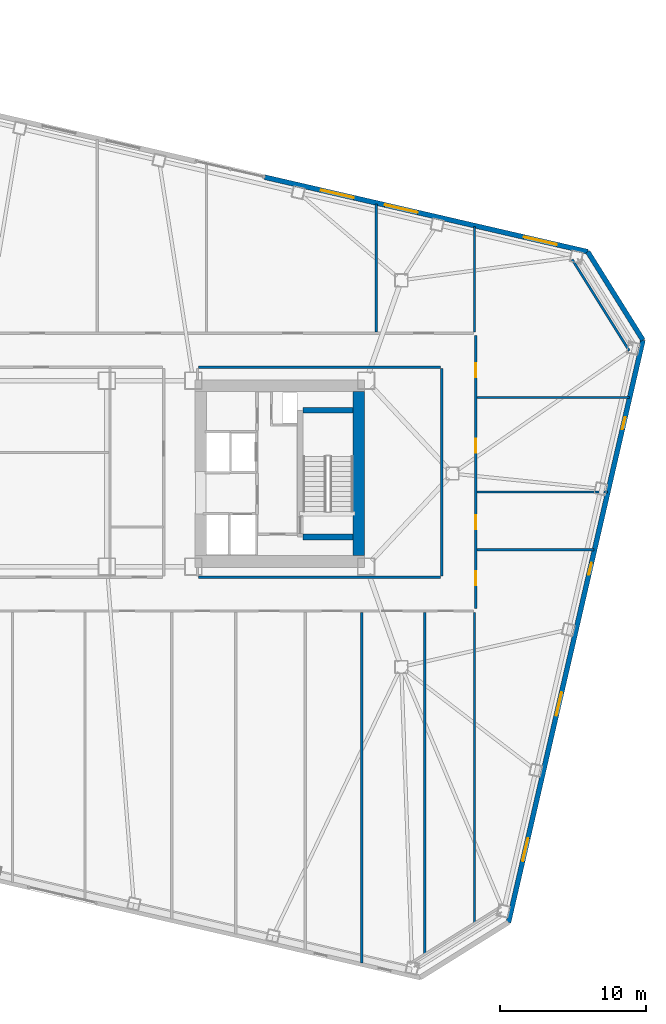
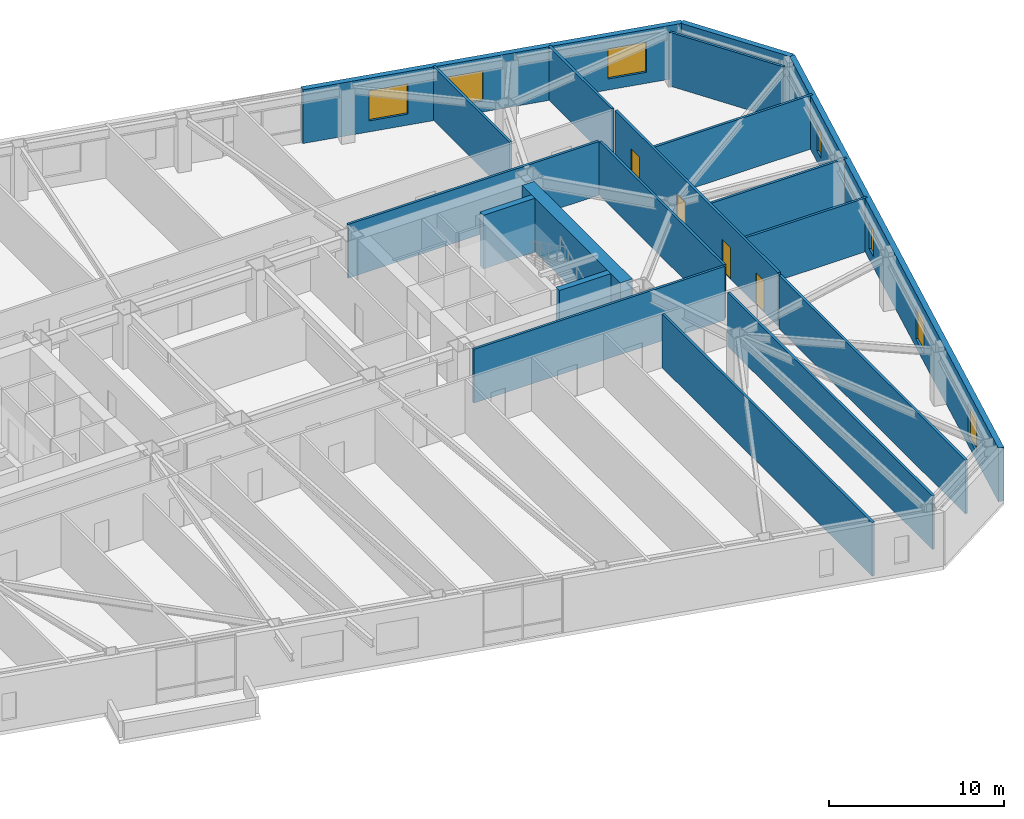
# One storey, part 16 of 22: 19 walls, 7 windows, 4 doors, 11 openings.
"""IFC4 building model written with IfcOpenShell, lengths in metres."""

from ifc_helpers import new_model, si_unit, direction, frame, frame_2d, origin, place, context, subcontext, project, spatial, rectangle, extrude, material, layer, layer_set, type_object, element, fill, save


model = new_model("IFC4")

# Units and contexts
model_context = context("Model", 3, precision=1e-05, world=origin(), true_north=direction((0.0, 1.0)))
body_context = subcontext(model_context, "Body", "Model", "MODEL_VIEW")
ifc_project = project(units=[si_unit("LENGTHUNIT", "METRE"), si_unit("AREAUNIT", "SQUARE_METRE"), si_unit("VOLUMEUNIT", "CUBIC_METRE"), si_unit("PLANEANGLEUNIT", "RADIAN"), si_unit("MASSUNIT", "GRAM", prefix="KILO")], contexts=[model_context])

# Site, building, storey
site_placement = place(None, origin())
site = spatial("IfcSite", under=ifc_project, at=site_placement, CompositionType="ELEMENT")
building_placement = place(site_placement, origin())
building = spatial("IfcBuilding", under=site, at=building_placement, Name="Tavrogorsk Clinical Tower", CompositionType="ELEMENT")
storey_placement = place(building_placement, frame((0.0, 0.0, 55.39990234375)))
storey = spatial("IfcBuildingStorey", under=building, at=storey_placement, Name="L11", CompositionType="ELEMENT", Elevation=55.39990234375)

# Wall
ifc_material_1 = material(Name="Lightweight concrete blockwork B15", Category="masonry")
ifc_layer_1 = layer(ifc_material_1, 0.159912109375)
ifc_layer_set_1 = layer_set([ifc_layer_1], Name="Lightweight concrete blockwork B15")
wall_type_1 = type_object("IfcWallType", Name="PartitionWall_160", PredefinedType="PARTITIONING", material=ifc_layer_set_1)
wall_1_placement = place(storey_placement, frame((40.059814453125, 8.389404296875, 0.0), z_axis=(0.0, 0.0, 1.0), x_axis=(-0.529927317139, 0.848043064089, 0.0)))
element("IfcWall", 1, at=wall_1_placement, inside=storey, type_object=wall_type_1, Name="L11 Corner Exoskeleton Brace Furring Wall 2", PredefinedType="PARTITIONING", context=body_context, shape_type="SweptSolid", body=[
    extrude(rectangle(XDim=7.353759765625, YDim=0.159912109375, at=frame_2d((3.6767578125, 0.0))), origin(), (0.0, 0.0, 1.0), 3.739990234375),
])

# Wall, openings, doors
wall_2_placement = place(storey_placement, frame((29.580078125, 9.4150390625, 0.0), z_axis=(0.0, 0.0, 1.0), x_axis=(0.0, -1.0, 0.0)))
wall_2 = element("IfcWall", 2, at=wall_2_placement, inside=storey, type_object=wall_type_1, Name="L11 Corridor Partition 07", PredefinedType="PARTITIONING", context=body_context, shape_type="SweptSolid", body=[
    extrude(rectangle(XDim=18.630126953125, YDim=0.159912109375, at=frame_2d((9.31494140625, 0.0))), origin(), (0.0, 0.0, 1.0), 3.739990234375),
])
opening_1_placement = place(wall_2_placement, frame((16.080810546875, 0.0, 0.0)))
opening_1 = element("IfcOpeningElement", 3, at=opening_1_placement, cuts=wall_2, Name="Opening ID-02", PredefinedType="OPENING", context=body_context, shape_type="SweptSolid", body=[
    extrude(rectangle(XDim=0.949951171875, YDim=2.199951171875, at=frame_2d((0.47509765625, 1.10009765625))), frame((0.0, 0.08984375, 0.0), z_axis=(0.0, -1.0, 0.0), x_axis=(1.0, 0.0, 0.0)), (0.0, 0.0, 1.0), 0.179931640625),
])
opening_2_placement = place(wall_2_placement, frame((12.25, 0.0, 0.0)))
opening_2 = element("IfcOpeningElement", 4, at=opening_2_placement, cuts=wall_2, Name="Opening ID-02", PredefinedType="OPENING", context=body_context, shape_type="SweptSolid", body=[
    extrude(rectangle(XDim=0.949951171875, YDim=2.199951171875, at=frame_2d((0.47509765625, 1.10009765625))), frame((0.0, 0.08984375, 0.0), z_axis=(0.0, -1.0, 0.0), x_axis=(1.0, 0.0, 0.0)), (0.0, 0.0, 1.0), 0.179931640625),
])
opening_3_placement = place(wall_2_placement, frame((7.050048828125, 0.0, 0.0)))
opening_3 = element("IfcOpeningElement", 5, at=opening_3_placement, cuts=wall_2, Name="Opening ID-02", PredefinedType="OPENING", context=body_context, shape_type="SweptSolid", body=[
    extrude(rectangle(XDim=0.949951171875, YDim=2.199951171875, at=frame_2d((0.47509765625, 1.10009765625))), frame((0.0, 0.08984375, 0.0), z_axis=(0.0, -1.0, 0.0), x_axis=(1.0, 0.0, 0.0)), (0.0, 0.0, 1.0), 0.179931640625),
])
opening_4_placement = place(wall_2_placement, frame((1.869140625, 0.0, 0.0)))
opening_4 = element("IfcOpeningElement", 6, at=opening_4_placement, cuts=wall_2, Name="Opening ID-02", PredefinedType="OPENING", context=body_context, shape_type="SweptSolid", body=[
    extrude(rectangle(XDim=0.949951171875, YDim=2.199951171875, at=frame_2d((0.47509765625, 1.10009765625))), frame((0.0, 0.08984375, 0.0), z_axis=(0.0, -1.0, 0.0), x_axis=(1.0, 0.0, 0.0)), (0.0, 0.0, 1.0), 0.179931640625),
])
ifc_material_2 = material(Name="Laminated timber leaf on aluminium frame", Category="wood")
door_type = type_object("IfcDoorType", Name="InteriorDoor_ID02_950", OperationType="NOTDEFINED", PredefinedType="DOOR", material=ifc_material_2)
door_1_placement = place(opening_1_placement, origin())
door_1 = element("IfcDoor", 7, at=door_1_placement, inside=storey, type_object=door_type, Name="L11 E Senior Clinician Suite 1 Door", OperationType="SINGLE_SWING_LEFT", OverallHeight=2.199951171875, OverallWidth=0.949951171875, PredefinedType="DOOR", context=body_context, shape_type="SweptSolid", body=[
    extrude(rectangle(XDim=0.949951171875, YDim=2.199951171875, at=frame_2d((0.47509765625, 1.10009765625))), frame((0.0, 0.02490234375, 0.0), z_axis=(0.0, -1.0, 0.0), x_axis=(1.0, 0.0, 0.0)), (0.0, 0.0, 1.0), 0.050048828125),
])
fill(opening_1, door_1)
door_2_placement = place(opening_2_placement, origin())
door_2 = element("IfcDoor", 8, at=door_2_placement, inside=storey, type_object=door_type, Name="L11 E Multidisciplinary Seminar Suite 2 Door", OperationType="SINGLE_SWING_RIGHT", OverallHeight=2.199951171875, OverallWidth=0.949951171875, PredefinedType="DOOR", context=body_context, shape_type="SweptSolid", body=[
    extrude(rectangle(XDim=0.949951171875, YDim=2.199951171875, at=frame_2d((0.47509765625, 1.10009765625))), frame((0.0, 0.02490234375, 0.0), z_axis=(0.0, -1.0, 0.0), x_axis=(1.0, 0.0, 0.0)), (0.0, 0.0, 1.0), 0.050048828125),
])
fill(opening_2, door_2)
door_3_placement = place(opening_3_placement, origin())
door_3 = element("IfcDoor", 9, at=door_3_placement, inside=storey, type_object=door_type, Name="L11 E Specialist Consultation Room 3 Door", OperationType="SINGLE_SWING_LEFT", OverallHeight=2.199951171875, OverallWidth=0.949951171875, PredefinedType="DOOR", context=body_context, shape_type="SweptSolid", body=[
    extrude(rectangle(XDim=0.949951171875, YDim=2.199951171875, at=frame_2d((0.47509765625, 1.10009765625))), frame((0.0, 0.02490234375, 0.0), z_axis=(0.0, -1.0, 0.0), x_axis=(1.0, 0.0, 0.0)), (0.0, 0.0, 1.0), 0.050048828125),
])
fill(opening_3, door_3)
door_4_placement = place(opening_4_placement, origin())
door_4 = element("IfcDoor", 10, at=door_4_placement, inside=storey, type_object=door_type, Name="L11 E Clinical Fellows' Study 4 Door", OperationType="SINGLE_SWING_RIGHT", OverallHeight=2.199951171875, OverallWidth=0.949951171875, PredefinedType="DOOR", context=body_context, shape_type="SweptSolid", body=[
    extrude(rectangle(XDim=0.949951171875, YDim=2.199951171875, at=frame_2d((0.47509765625, 1.10009765625))), frame((0.0, 0.02490234375, 0.0), z_axis=(0.0, -1.0, 0.0), x_axis=(1.0, 0.0, 0.0)), (0.0, 0.0, 1.0), 0.050048828125),
])
fill(opening_4, door_4)

# Walls
for number, where, z_axis, x_axis, name in (
    (11, (27.18505859375, 7.27001953125, 0.0), (0.0, 0.0, 1.0), (-1.0, 0.0, 0.0), "L11 Corridor Partition 09"),
    (12, (10.6650390625, -7.070068359375, 0.0), (0.0, 0.0, 1.0), (1.0, 0.0, 0.0), "L11 Corridor Partition 12"),
):
    element("IfcWall", number, at=place(storey_placement, frame(where, z_axis=z_axis, x_axis=x_axis)), inside=storey, type_object=wall_type_1, Name=name, PredefinedType="PARTITIONING", context=body_context, shape_type="SweptSolid", body=[
        extrude(rectangle(XDim=16.52001953125, YDim=0.159912109375, at=frame_2d((8.260009765625, 0.0))), origin(), (0.0, 0.0, 1.0), 3.739990234375),
    ])
wall_3_placement = place(storey_placement, frame((27.27001953125, -6.985107421875, 0.0), z_axis=(0.0, 0.0, 1.0), x_axis=(0.0, 1.0, 0.0)))
element("IfcWall", 13, at=wall_3_placement, inside=storey, type_object=wall_type_1, Name="L11 Corridor Partition 13", PredefinedType="PARTITIONING", context=body_context, shape_type="SweptSolid", body=[
    extrude(rectangle(XDim=14.170166015625, YDim=0.159912109375, at=frame_2d((7.0849609375, 0.0))), origin(), (0.0, 0.0, 1.0), 3.739990234375),
])
wall_4_placement = place(storey_placement, frame((29.5, 9.6650390625, 0.0), z_axis=(0.0, 0.0, 1.0), x_axis=(0.0, 1.0, 0.0)))
element("IfcWall", 14, at=wall_4_placement, inside=storey, type_object=wall_type_1, Name="L11 NE Wing Closure Partition", PredefinedType="PARTITIONING", context=body_context, shape_type="SweptSolid", body=[
    extrude(rectangle(XDim=7.197265625, YDim=0.159912109375, at=frame_2d((3.5986328125, 0.0))), origin(), (0.0, 0.0, 1.0), 3.739990234375),
])
wall_5_placement = place(storey_placement, frame((29.5, -30.702880859375, 0.0), z_axis=(0.0, 0.0, 1.0), x_axis=(0.0, 1.0, 0.0)))
element("IfcWall", 15, at=wall_5_placement, inside=storey, type_object=wall_type_1, Name="L11 SE Wing Closure Partition", PredefinedType="PARTITIONING", context=body_context, shape_type="SweptSolid", body=[
    extrude(rectangle(XDim=21.23779296875, YDim=0.159912109375, at=frame_2d((10.618896484375, 0.0))), origin(), (0.0, 0.0, 1.0), 3.739990234375),
])
wall_6_placement = place(storey_placement, frame((22.800048828125, 9.6650390625, 0.0), z_axis=(0.0, 0.0, 1.0), x_axis=(0.0, 1.0, 0.0)))
element("IfcWall", 16, at=wall_6_placement, inside=storey, type_object=wall_type_1, Name="L11 North Room Partition 4", PredefinedType="PARTITIONING", context=body_context, shape_type="SweptSolid", body=[
    extrude(rectangle(XDim=8.744140625, YDim=0.159912109375, at=frame_2d((4.3720703125, 0.0))), origin(), (0.0, 0.0, 1.0), 3.739990234375),
])
wall_7_placement = place(storey_placement, frame((21.800048828125, -33.4140625, 0.0), z_axis=(0.0, 0.0, 1.0), x_axis=(0.0, 1.0, 0.0)))
element("IfcWall", 17, at=wall_7_placement, inside=storey, type_object=wall_type_1, Name="L11 South Room Partition 6", PredefinedType="PARTITIONING", context=body_context, shape_type="SweptSolid", body=[
    extrude(rectangle(XDim=23.948974609375, YDim=0.159912109375, at=frame_2d((11.974609375, 0.0))), origin(), (0.0, 0.0, 1.0), 3.739990234375),
])
wall_8_placement = place(storey_placement, frame((26.10009765625, -32.827392578125, 0.0), z_axis=(0.0, 0.0, 1.0), x_axis=(0.0, 1.0, 0.0)))
element("IfcWall", 18, at=wall_8_placement, inside=storey, type_object=wall_type_1, Name="L11 South Sub-Partition 7", PredefinedType="PARTITIONING", context=body_context, shape_type="SweptSolid", body=[
    extrude(rectangle(XDim=23.3623046875, YDim=0.159912109375, at=frame_2d((11.68115234375, 0.0))), origin(), (0.0, 0.0, 1.0), 3.739990234375),
])
wall_9_placement = place(storey_placement, frame((29.6650390625, -5.199951171875, 0.0), z_axis=(0.0, 0.0, 1.0), x_axis=(1.0, 0.0, 0.0)))
element("IfcWall", 19, at=wall_9_placement, inside=storey, type_object=wall_type_1, Name="L11 E Wing Divider 1", PredefinedType="PARTITIONING", context=body_context, shape_type="SweptSolid", body=[
    extrude(rectangle(XDim=8.007080078125, YDim=0.159912109375, at=frame_2d((4.00341796875, 0.0))), origin(), (0.0, 0.0, 1.0), 3.739990234375),
])
wall_10_placement = place(storey_placement, frame((29.6650390625, -1.25, 0.0), z_axis=(0.0, 0.0, 1.0), x_axis=(1.0, 0.0, 0.0)))
element("IfcWall", 20, at=wall_10_placement, inside=storey, type_object=wall_type_1, Name="L11 E Wing Divider 2", PredefinedType="PARTITIONING", context=body_context, shape_type="SweptSolid", body=[
    extrude(rectangle(XDim=8.9189453125, YDim=0.159912109375, at=frame_2d((4.45947265625, 0.0))), origin(), (0.0, 0.0, 1.0), 3.739990234375),
])
wall_11_placement = place(storey_placement, frame((29.6650390625, 5.199951171875, 0.0), z_axis=(0.0, 0.0, 1.0), x_axis=(1.0, 0.0, 0.0)))
element("IfcWall", 21, at=wall_11_placement, inside=storey, type_object=wall_type_1, Name="L11 E Wing Divider 3", PredefinedType="PARTITIONING", context=body_context, shape_type="SweptSolid", body=[
    extrude(rectangle(XDim=10.408203125, YDim=0.159912109375, at=frame_2d((5.2041015625, 0.0))), origin(), (0.0, 0.0, 1.0), 3.739990234375),
])

# Wall, openings, windows
ifc_material_3 = material(Name="Precast concrete B45 with limestone cladding", Category="masonry")
ifc_layer_2 = layer(ifc_material_3, 0.340087890625)
ifc_layer_set_2 = layer_set([ifc_layer_2], Name="Precast concrete B45 with limestone cladding")
wall_type_2 = type_object("IfcWallType", Name="PrecastLimestoneWall_340", PredefinedType="STANDARD", material=ifc_layer_set_2)
wall_12_placement = place(storey_placement, frame((37.228515625, 15.14990234375, 0.0), z_axis=(0.0, 0.0, 1.0), x_axis=(-0.97436993772, 0.224951604723, 0.0)))
wall_12 = element("IfcWall", 22, at=wall_12_placement, inside=storey, type_object=wall_type_2, Name="L11 N Limestone Facade Wall 1", PredefinedType="STANDARD", context=body_context, shape_type="SweptSolid", body=[
    extrude(rectangle(XDim=22.6513671875, YDim=0.340087890625, at=frame_2d((11.32568359375, 0.0))), origin(), (0.0, 0.0, 1.0), 3.739990234375),
])
opening_5_placement = place(wall_12_placement, frame((16.39501953125, 0.0, 0.77001953125)))
opening_5 = element("IfcOpeningElement", 23, at=opening_5_placement, cuts=wall_12, Name="Opening WN-12", PredefinedType="OPENING", context=body_context, shape_type="SweptSolid", body=[
    extrude(rectangle(XDim=2.300048828125, YDim=2.10009765625, at=frame_2d((1.14990234375, 1.050048828125))), frame((0.0, 0.179931640625, 0.0), z_axis=(0.0, -1.0, 0.0), x_axis=(1.0, 0.0, 0.0)), (0.0, 0.0, 1.0), 0.360107421875),
])
opening_6_placement = place(wall_12_placement, frame((11.91064453125, 0.0, 0.77001953125)))
opening_6 = element("IfcOpeningElement", 24, at=opening_6_placement, cuts=wall_12, Name="Opening WN-12", PredefinedType="OPENING", context=body_context, shape_type="SweptSolid", body=[
    extrude(rectangle(XDim=2.300048828125, YDim=2.10009765625, at=frame_2d((1.14990234375, 1.050048828125))), frame((0.0, 0.179931640625, 0.0), z_axis=(0.0, -1.0, 0.0), x_axis=(1.0, 0.0, 0.0)), (0.0, 0.0, 1.0), 0.360107421875),
])
opening_7_placement = place(wall_12_placement, frame((2.162109375, 0.0, 0.77001953125)))
opening_7 = element("IfcOpeningElement", 25, at=opening_7_placement, cuts=wall_12, Name="Opening WN-12", PredefinedType="OPENING", context=body_context, shape_type="SweptSolid", body=[
    extrude(rectangle(XDim=2.300048828125, YDim=2.10009765625, at=frame_2d((1.14990234375, 1.050048828125))), frame((0.0, 0.179931640625, 0.0), z_axis=(0.0, -1.0, 0.0), x_axis=(1.0, 0.0, 0.0)), (0.0, 0.0, 1.0), 0.360107421875),
])
ifc_material_4 = material(Name="Thermally broken aluminium frame and triple IGU", Category="aluminium")
window_type_1 = type_object("IfcWindowType", Name="RecoveryWin_2300x2100", PartitioningType="DOUBLE_PANEL_VERTICAL", PredefinedType="WINDOW", material=ifc_material_4)
window_1_placement = place(opening_5_placement, origin())
window_1 = element("IfcWindow", 26, at=window_1_placement, inside=storey, type_object=window_type_1, Name="L11 N Chicago Window 07", OverallHeight=2.10009765625, OverallWidth=2.300048828125, PartitioningType="SINGLE_PANEL", PredefinedType="WINDOW", context=body_context, shape_type="SweptSolid", body=[
    extrude(rectangle(XDim=2.300048828125, YDim=2.10009765625, at=frame_2d((1.14990234375, 1.050048828125))), frame((0.0, 0.030029296875, 0.0), z_axis=(0.0, -1.0, 0.0), x_axis=(1.0, 0.0, 0.0)), (0.0, 0.0, 1.0), 0.06005859375),
])
fill(opening_5, window_1)
window_2_placement = place(opening_6_placement, origin())
window_2 = element("IfcWindow", 27, at=window_2_placement, inside=storey, type_object=window_type_1, Name="L11 N Chicago Window 08", OverallHeight=2.10009765625, OverallWidth=2.300048828125, PartitioningType="SINGLE_PANEL", PredefinedType="WINDOW", context=body_context, shape_type="SweptSolid", body=[
    extrude(rectangle(XDim=2.300048828125, YDim=2.10009765625, at=frame_2d((1.14990234375, 1.050048828125))), frame((0.0, 0.030029296875, 0.0), z_axis=(0.0, -1.0, 0.0), x_axis=(1.0, 0.0, 0.0)), (0.0, 0.0, 1.0), 0.06005859375),
])
fill(opening_6, window_2)
window_3_placement = place(opening_7_placement, origin())
window_3 = element("IfcWindow", 28, at=window_3_placement, inside=storey, type_object=window_type_1, Name="L11 N Chicago Window 10", OverallHeight=2.10009765625, OverallWidth=2.300048828125, PartitioningType="SINGLE_PANEL", PredefinedType="WINDOW", context=body_context, shape_type="SweptSolid", body=[
    extrude(rectangle(XDim=2.300048828125, YDim=2.10009765625, at=frame_2d((1.14990234375, 1.050048828125))), frame((0.0, 0.030029296875, 0.0), z_axis=(0.0, -1.0, 0.0), x_axis=(1.0, 0.0, 0.0)), (0.0, 0.0, 1.0), 0.06005859375),
])
fill(opening_7, window_3)

wall_13_placement = place(storey_placement, frame((31.820068359375, -30.636962890625, 0.0), z_axis=(0.0, 0.0, 1.0), x_axis=(0.224949969076, 0.974370315338, 0.0)))
wall_13 = element("IfcWall", 29, at=wall_13_placement, inside=storey, type_object=wall_type_2, Name="L11 E Pleated Limestone Wing Wall", PredefinedType="STANDARD", context=body_context, shape_type="SweptSolid", body=[
    extrude(rectangle(XDim=40.800048828125, YDim=0.340087890625, at=frame_2d((20.39990234375, 0.0))), origin(), (0.0, 0.0, 1.0), 3.739990234375),
])
opening_8_placement = place(wall_13_placement, frame((4.300048828125, 0.0, 0.580078125)))
opening_8 = element("IfcOpeningElement", 30, at=opening_8_placement, cuts=wall_13, Name="Opening WN-07", PredefinedType="OPENING", context=body_context, shape_type="SweptSolid", body=[
    extrude(rectangle(XDim=1.60009765625, YDim=2.300048828125, at=frame_2d((0.800048828125, 1.14990234375))), frame((0.0, 0.179931640625, 0.0), z_axis=(0.0, -1.0, 0.0), x_axis=(1.0, 0.0, 0.0)), (0.0, 0.0, 1.0), 0.360107421875),
])
opening_9_placement = place(wall_13_placement, frame((14.5, 0.0, 0.580078125)))
opening_9 = element("IfcOpeningElement", 31, at=opening_9_placement, cuts=wall_13, Name="Opening WN-07", PredefinedType="OPENING", context=body_context, shape_type="SweptSolid", body=[
    extrude(rectangle(XDim=1.60009765625, YDim=2.300048828125, at=frame_2d((0.800048828125, 1.14990234375))), frame((0.0, 0.179931640625, 0.0), z_axis=(0.0, -1.0, 0.0), x_axis=(1.0, 0.0, 0.0)), (0.0, 0.0, 1.0), 0.360107421875),
])
opening_10_placement = place(wall_13_placement, frame((24.35009765625, 0.0, 0.75)))
opening_10 = element("IfcOpeningElement", 32, at=opening_10_placement, cuts=wall_13, Name="Opening WN-06", PredefinedType="OPENING", context=body_context, shape_type="SweptSolid", body=[
    extrude(rectangle(XDim=0.85009765625, YDim=1.85009765625, at=frame_2d((0.425048828125, 0.925048828125))), frame((0.0, 0.179931640625, 0.0), z_axis=(0.0, -1.0, 0.0), x_axis=(1.0, 0.0, 0.0)), (0.0, 0.0, 1.0), 0.360107421875),
])
opening_11_placement = place(wall_13_placement, frame((34.550048828125, 0.0, 0.75)))
opening_11 = element("IfcOpeningElement", 33, at=opening_11_placement, cuts=wall_13, Name="Opening WN-06", PredefinedType="OPENING", context=body_context, shape_type="SweptSolid", body=[
    extrude(rectangle(XDim=0.85009765625, YDim=1.85009765625, at=frame_2d((0.425048828125, 0.925048828125))), frame((0.0, 0.179931640625, 0.0), z_axis=(0.0, -1.0, 0.0), x_axis=(1.0, 0.0, 0.0)), (0.0, 0.0, 1.0), 0.360107421875),
])
ifc_material_5 = material(Name="Thermally broken aluminium frame and triple IGU", Category="aluminium")
window_type_2 = type_object("IfcWindowType", Name="MullionSubWin_850x1850", PartitioningType="SINGLE_PANEL", PredefinedType="WINDOW", material=ifc_material_5)
window_4_placement = place(opening_10_placement, origin())
window_4 = element("IfcWindow", 34, at=window_4_placement, inside=storey, type_object=window_type_2, Name="L11 E Pleat Mullion Window 3A", OverallHeight=1.85009765625, OverallWidth=0.85009765625, PartitioningType="SINGLE_PANEL", PredefinedType="WINDOW", context=body_context, shape_type="SweptSolid", body=[
    extrude(rectangle(XDim=0.85009765625, YDim=1.85009765625, at=frame_2d((0.425048828125, 0.925048828125))), frame((0.0, 0.030029296875, 0.0), z_axis=(0.0, -1.0, 0.0), x_axis=(1.0, 0.0, 0.0)), (0.0, 0.0, 1.0), 0.06005859375),
])
fill(opening_10, window_4)
window_5_placement = place(opening_11_placement, origin())
window_5 = element("IfcWindow", 35, at=window_5_placement, inside=storey, type_object=window_type_2, Name="L11 E Pleat Mullion Window 4A", OverallHeight=1.85009765625, OverallWidth=0.85009765625, PartitioningType="SINGLE_PANEL", PredefinedType="WINDOW", context=body_context, shape_type="SweptSolid", body=[
    extrude(rectangle(XDim=0.85009765625, YDim=1.85009765625, at=frame_2d((0.425048828125, 0.925048828125))), frame((0.0, 0.030029296875, 0.0), z_axis=(0.0, -1.0, 0.0), x_axis=(1.0, 0.0, 0.0)), (0.0, 0.0, 1.0), 0.06005859375),
])
fill(opening_11, window_5)
ifc_material_6 = material(Name="Thermally broken aluminium frame and triple IGU", Category="aluminium")
window_type_3 = type_object("IfcWindowType", Name="PleatSlotWin_1600x2300", PartitioningType="SINGLE_PANEL", PredefinedType="WINDOW", material=ifc_material_6)
window_6_placement = place(opening_8_placement, origin())
window_6 = element("IfcWindow", 36, at=window_6_placement, inside=storey, type_object=window_type_3, Name="L11 E Pleat Slot Window 1", OverallHeight=2.300048828125, OverallWidth=1.60009765625, PartitioningType="SINGLE_PANEL", PredefinedType="WINDOW", context=body_context, shape_type="SweptSolid", body=[
    extrude(rectangle(XDim=1.60009765625, YDim=2.300048828125, at=frame_2d((0.800048828125, 1.14990234375))), frame((0.0, 0.030029296875, 0.0), z_axis=(0.0, -1.0, 0.0), x_axis=(1.0, 0.0, 0.0)), (0.0, 0.0, 1.0), 0.06005859375),
])
fill(opening_8, window_6)
window_7_placement = place(opening_9_placement, origin())
window_7 = element("IfcWindow", 37, at=window_7_placement, inside=storey, type_object=window_type_3, Name="L11 E Pleat Slot Window 2", OverallHeight=2.300048828125, OverallWidth=1.60009765625, PartitioningType="SINGLE_PANEL", PredefinedType="WINDOW", context=body_context, shape_type="SweptSolid", body=[
    extrude(rectangle(XDim=1.60009765625, YDim=2.300048828125, at=frame_2d((0.800048828125, 1.14990234375))), frame((0.0, 0.030029296875, 0.0), z_axis=(0.0, -1.0, 0.0), x_axis=(1.0, 0.0, 0.0)), (0.0, 0.0, 1.0), 0.06005859375),
])
fill(opening_9, window_7)

# Walls
wall_14_placement = place(storey_placement, frame((40.998046875, 9.117431640625, 0.0), z_axis=(0.0, 0.0, 1.0), x_axis=(-0.529921811158, 0.848046504656, 0.0)))
element("IfcWall", 38, at=wall_14_placement, inside=storey, type_object=wall_type_2, Name="L11 Chamfered Corner Wall 2", PredefinedType="STANDARD", context=body_context, shape_type="SweptSolid", body=[
    extrude(rectangle(XDim=7.11328125, YDim=0.340087890625, at=frame_2d((3.556640625, 0.0))), origin(), (0.0, 0.0, 1.0), 3.739990234375),
])
ifc_material_7 = material(Name="Concrete B80", Category="concrete")
ifc_layer_3 = layer(ifc_material_7, 0.39990234375)
ifc_layer_set_3 = layer_set([ifc_layer_3], Name="Concrete B80")
wall_type_3 = type_object("IfcWallType", Name="ShearWall_400", PredefinedType="SHEAR", material=ifc_layer_set_3)
for number, where, z_axis, x_axis, name in (
    (39, (17.800048828125, -4.324951171875, 0.0), (0.0, 0.0, 1.0), (1.0, 0.0, 0.0), "L11 Core East Stair Shaft South Shear Wall"),
    (40, (17.800048828125, 4.324951171875, 0.0), (0.0, 0.0, 1.0), (1.0, 0.0, 0.0), "L11 Core East Stair Shaft North Shear Wall"),
):
    element("IfcWall", number, at=place(storey_placement, frame(where, z_axis=z_axis, x_axis=x_axis)), inside=storey, type_object=wall_type_3, Name=name, PredefinedType="SHEAR", context=body_context, shape_type="SweptSolid", body=[
        extrude(rectangle(XDim=3.39990234375, YDim=0.39990234375, at=frame_2d((1.699951171875, 0.0))), origin(), (0.0, 0.0, 1.0), 3.739990234375),
    ])
ifc_material_8 = material(Name="Concrete B80", Category="concrete")
ifc_layer_4 = layer(ifc_material_8, 0.800048828125)
ifc_layer_set_4 = layer_set([ifc_layer_4], Name="Concrete B80")
wall_type_4 = type_object("IfcWallType", Name="ShearWall_800", PredefinedType="SHEAR", material=ifc_layer_set_4)
wall_15_placement = place(storey_placement, frame((21.60009765625, -5.60009765625, 0.0), z_axis=(0.0, 0.0, 1.0), x_axis=(0.0, 1.0, 0.0)))
element("IfcWall", 41, at=wall_15_placement, inside=storey, type_object=wall_type_4, Name="L11 Core East End Shear Wall", PredefinedType="SHEAR", context=body_context, shape_type="SweptSolid", body=[
    extrude(rectangle(XDim=11.2001953125, YDim=0.800048828125, at=frame_2d((5.60009765625, 0.0))), origin(), (0.0, 0.0, 1.0), 3.739990234375),
])

save(model, "model.ifc")
